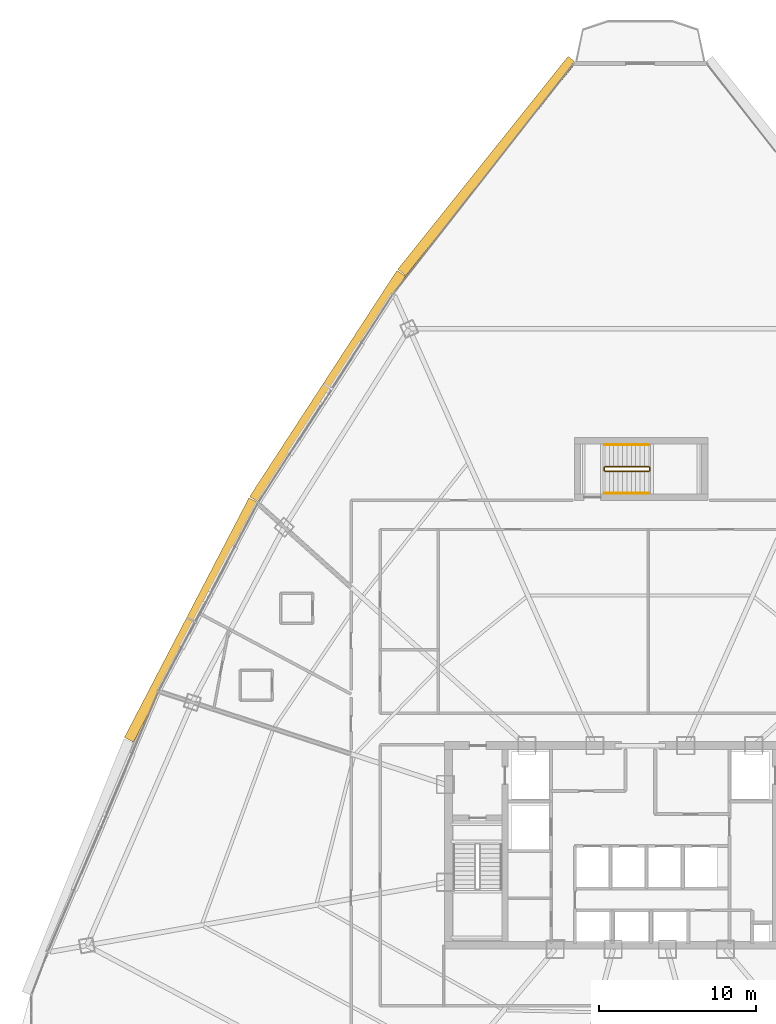
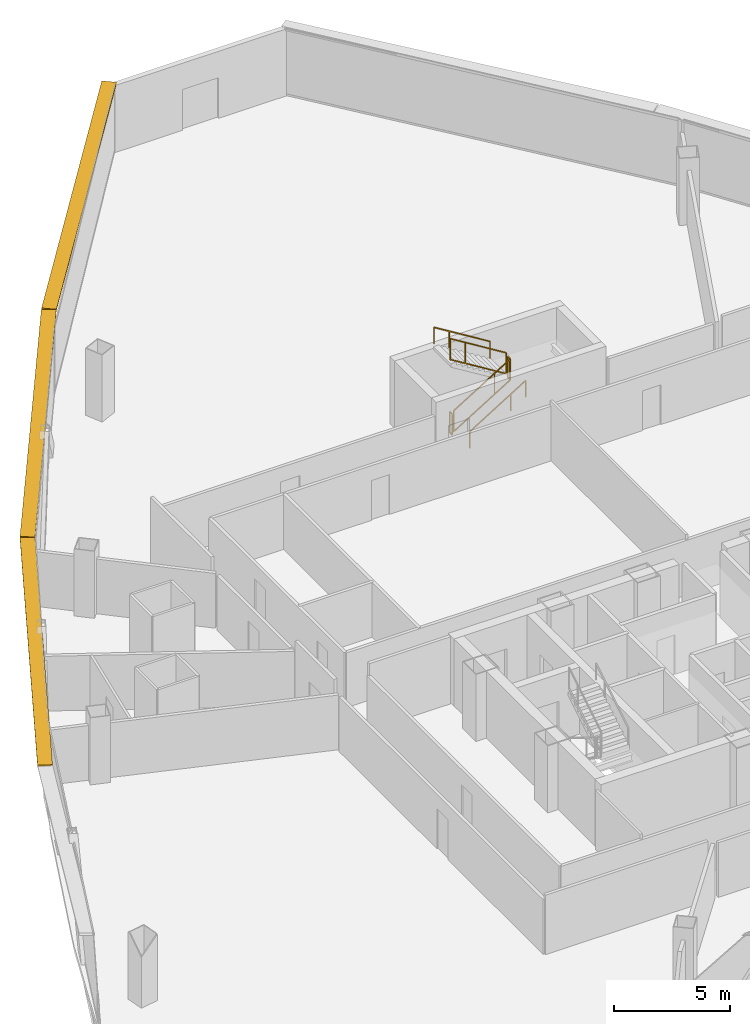
# One storey, part 39 of 40: 6 railings, 3 shading devices.
"""IFC4 building model written with IfcOpenShell, lengths in metres."""

import ifcopenshell
import ifcopenshell.guid

model = None  # the IFC model being written
_history = None  # IfcOwnerHistory: only IFC2X3 demands one
_inside = {}  # id of a spatial element -> (the spatial element, [elements in it])
_under = {}  # id of a project, library or spatial element -> (it, [spatial elements below it])
_declared = {}  # id of a project -> (the project, [libraries it declares])
_typed = {}  # id of a type object -> (the type object, [elements of that type])
_made_of = {}  # id of a material, layer set ... -> (it, [elements and type objects made of it])


def new_model(schema):
    """Start an empty IFC model of exactly this schema.

    Asked for "IFC4X3", IfcOpenShell would pick the latest addendum, in which some entities
    have other attributes; the version numbers below select the first issue.
    IFC2X3 requires an IfcOwnerHistory on every rooted entity: one is made here for all.
    """
    global model, _history
    if schema == "IFC4X3":
        model = ifcopenshell.file(schema_version=(4, 3, 0, 0))
    else:
        model = ifcopenshell.file(schema=schema)
    _inside.clear()
    _under.clear()
    _declared.clear()
    _typed.clear()
    _made_of.clear()
    _history = None
    if model.schema == "IFC2X3":
        org = make("IfcOrganization", Name="unknown")
        user = make(
            "IfcPersonAndOrganization",
            ThePerson=make("IfcPerson", FamilyName="unknown"),
            TheOrganization=org,
        )
        app = make(
            "IfcApplication",
            ApplicationDeveloper=org,
            Version="unknown",
            ApplicationFullName="unknown",
            ApplicationIdentifier="unknown",
        )
        _history = make(
            "IfcOwnerHistory",
            OwningUser=user,
            OwningApplication=app,
            ChangeAction="ADDED",
            CreationDate=0,
        )
    return model


def make(cls, **values):
    """One entity of the class cls with the attributes given. An attribute that is None is left unset."""
    return model.create_entity(
        cls, **{name: value for name, value in values.items() if value is not None}
    )


def rooted(cls, **values):
    """An entity with a GlobalId (a new one), such as an element, a storey or a relation."""
    return make(cls, GlobalId=ifcopenshell.guid.new(), OwnerHistory=_history, **values)


def si_unit(unit_type, name, prefix=None):
    """IfcSIUnit, for example si_unit("LENGTHUNIT", "METRE", prefix="MILLI")."""
    return make("IfcSIUnit", UnitType=unit_type, Prefix=prefix, Name=name)


def assignment(units):
    """IfcUnitAssignment: the units of a project."""
    return None if units is None else make("IfcUnitAssignment", Units=units)


def point(xyz):
    """IfcCartesianPoint."""
    return None if xyz is None else make("IfcCartesianPoint", Coordinates=xyz)


def direction(xyz):
    """IfcDirection."""
    return None if xyz is None else make("IfcDirection", DirectionRatios=xyz)


def frame(location, z_axis=None, x_axis=None):
    """IfcAxis2Placement3D, a coordinate frame: its origin and axes. An axis left out is left unset."""
    return make(
        "IfcAxis2Placement3D",
        Location=point(location),
        Axis=direction(z_axis),
        RefDirection=direction(x_axis),
    )


def frame_2d(location, x_axis=None):
    """IfcAxis2Placement2D, a coordinate frame in the plane: its origin and x axis."""
    return make(
        "IfcAxis2Placement2D", Location=point(location), RefDirection=direction(x_axis)
    )


def origin():
    """The frame at (0, 0, 0) with its axes left unset."""
    return frame((0.0, 0.0, 0.0))


def origin_2d():
    """The frame at (0, 0) in the plane with its x axis left unset."""
    return frame_2d((0.0, 0.0))


def place(relative_to, where):
    """IfcLocalPlacement: puts the frame where relative to a parent placement (None: the world)."""
    return make(
        "IfcLocalPlacement", PlacementRelTo=relative_to, RelativePlacement=where
    )


def context(
    kind, dimensions, precision=None, world=None, true_north=None, identifier=None
):
    """IfcGeometricRepresentationContext, for example the 3D "Model" context."""
    return make(
        "IfcGeometricRepresentationContext",
        ContextIdentifier=identifier,
        ContextType=kind,
        CoordinateSpaceDimension=dimensions,
        Precision=precision,
        WorldCoordinateSystem=world,
        TrueNorth=true_north,
    )


def subcontext(parent, identifier, kind, view, scale=None):
    """IfcGeometricRepresentationSubContext, for example "Body" below "Model"."""
    return make(
        "IfcGeometricRepresentationSubContext",
        ContextIdentifier=identifier,
        ContextType=kind,
        ParentContext=parent,
        TargetScale=scale,
        TargetView=view,
    )


def project(units=None, contexts=None):
    """IfcProject with its units and contexts."""
    return rooted(
        "IfcProject",
        Name="project",
        RepresentationContexts=contexts,
        UnitsInContext=assignment(units),
    )


def spatial(cls, under=None, at=None, **own):
    """A site, building, storey or space (cls), placed at a placement, below another one or the project."""
    s = rooted(cls, ObjectPlacement=at, **own)
    if under is not None:
        _under.setdefault(under.id(), (under, []))[1].append(s)
    return s


def profile(cls, at=None, kind="AREA", **sizes):
    """A parametric profile (cls). Its sizes go by their IFC names, for example OverallWidth=200.0."""
    return make(cls, ProfileType=kind, Position=at, **sizes)


def rectangle(**sizes):
    """IfcRectangleProfileDef."""
    return profile("IfcRectangleProfileDef", **sizes)


def extrude(swept, where, along, depth):
    """IfcExtrudedAreaSolid: the profile swept, set in the frame where, extruded along a direction by depth."""
    return make(
        "IfcExtrudedAreaSolid",
        SweptArea=swept,
        Position=where,
        ExtrudedDirection=direction(along),
        Depth=depth,
    )


def shape(context_of_items, identifier, shape_type, items):
    """IfcShapeRepresentation: the items that make up one representation, for example the "Body"."""
    return make(
        "IfcShapeRepresentation",
        ContextOfItems=context_of_items,
        RepresentationIdentifier=identifier,
        RepresentationType=shape_type,
        Items=items,
    )


def source(mapping_origin, context_of_items, identifier, shape_type, items):
    """IfcRepresentationMap: a shape defined once, which mapped items show again and again."""
    return make(
        "IfcRepresentationMap",
        MappingOrigin=mapping_origin,
        MappedRepresentation=shape(context_of_items, identifier, shape_type, items),
    )


def transform(
    local_origin,
    x_axis=None,
    y_axis=None,
    z_axis=None,
    scale=None,
    scale2=None,
    scale3=None,
    uniform=True,
):
    """IfcCartesianTransformationOperator3D, or its non-uniform kind. x_axis, y_axis, z_axis: its Axis1, 2, 3."""
    if uniform:
        return make(
            "IfcCartesianTransformationOperator3D",
            Axis1=direction(x_axis),
            Axis2=direction(y_axis),
            LocalOrigin=point(local_origin),
            Scale=scale,
            Axis3=direction(z_axis),
        )
    return make(
        "IfcCartesianTransformationOperator3DnonUniform",
        Axis1=direction(x_axis),
        Axis2=direction(y_axis),
        LocalOrigin=point(local_origin),
        Scale=scale,
        Axis3=direction(z_axis),
        Scale2=scale2,
        Scale3=scale3,
    )


def mapped(mapping_source, mapping_target):
    """IfcMappedItem: shows the shape of a source again, moved by a transform."""
    return make(
        "IfcMappedItem", MappingSource=mapping_source, MappingTarget=mapping_target
    )


def material(Name=None, Category=None):
    """IfcMaterial."""
    return make("IfcMaterial", Name=Name, Category=Category)


def layer(
    of_material, thickness, ventilated=None, Name=None, Category=None, Priority=None
):
    """IfcMaterialLayer: one layer of a wall or slab, of a material (None: an air gap)."""
    return make(
        "IfcMaterialLayer",
        Material=of_material,
        LayerThickness=thickness,
        IsVentilated=ventilated,
        Name=Name,
        Category=Category,
        Priority=Priority,
    )


def layer_set(layers, Name=None):
    """IfcMaterialLayerSet."""
    return make("IfcMaterialLayerSet", MaterialLayers=layers, LayerSetName=Name)


def made_of(thing, what):
    """Note that an element or type object is made of a material, layer set ...; save() writes the relation."""
    if what is not None:
        _made_of.setdefault(what.id(), (what, []))[1].append(thing)
    return thing


def type_object(cls, material=None, **own):
    """A type object (cls), such as IfcWallType, which elements share."""
    return made_of(rooted(cls, **own), material)


def element(
    cls,
    number,
    at=None,
    inside=None,
    cuts=None,
    type_object=None,
    material=None,
    context=None,
    identifier="Body",
    shape_type=None,
    held_by="IfcProductDefinitionShape",
    body=None,
    shapes=None,
    **own,
):
    """One element of the class cls, such as IfcWall. Its Tag is "e" and its number.

    at: its placement. inside: the storey or other place that contains it. cuts: it is an
    opening in that element (IfcRelVoidsElement). A single representation is given by context,
    identifier, shape_type and body (its items); several are given by shapes. held_by: the class
    of the entity that holds the representations. save() writes the other relations.
    """
    e = rooted(cls, Tag="e%d" % number, ObjectPlacement=at, **own)
    if body is not None:
        shapes = [shape(context, identifier, shape_type, body)]
    if shapes is not None:
        e.Representation = make(held_by, Representations=shapes)
    if inside is not None:
        _inside.setdefault(inside.id(), (inside, []))[1].append(e)
    if cuts is not None:
        rooted(
            "IfcRelVoidsElement", RelatingBuildingElement=cuts, RelatedOpeningElement=e
        )
    if type_object is not None:
        _typed.setdefault(type_object.id(), (type_object, []))[1].append(e)
    return made_of(e, material)


def aggregate(whole, parts):
    """IfcRelAggregates: a whole, such as a stair, and the parts it consists of."""
    return rooted("IfcRelAggregates", RelatingObject=whole, RelatedObjects=parts)


def save(model, path):
    """Write the relations noted so far, then the file.

    IfcRelAggregates (storeys below a building ...), IfcRelContainedInSpatialStructure (elements
    in a storey), IfcRelDefinesByType, IfcRelAssociatesMaterial and IfcRelDeclares: one each for
    every whole, place, type object, material and project.
    """
    for whole, parts in _under.values():
        aggregate(whole, parts)
    for where, things in _inside.values():
        rooted(
            "IfcRelContainedInSpatialStructure",
            RelatedElements=things,
            RelatingStructure=where,
        )
    for kind, things in _typed.values():
        rooted("IfcRelDefinesByType", RelatedObjects=things, RelatingType=kind)
    for what, things in _made_of.values():
        rooted("IfcRelAssociatesMaterial", RelatedObjects=things, RelatingMaterial=what)
    for by, libraries in _declared.values():
        rooted("IfcRelDeclares", RelatingContext=by, RelatedDefinitions=libraries)
    model.write(path)


model = new_model("IFC4")

# Units and contexts
model_context = context("Model", 3, precision=1e-05, world=origin(), true_north=direction((0.0, 1.0)))
body_context = subcontext(model_context, "Body", "Model", "MODEL_VIEW")
ifc_project = project(units=[si_unit("LENGTHUNIT", "METRE"), si_unit("AREAUNIT", "SQUARE_METRE"), si_unit("VOLUMEUNIT", "CUBIC_METRE"), si_unit("PLANEANGLEUNIT", "RADIAN"), si_unit("MASSUNIT", "GRAM", prefix="KILO"), si_unit("THERMODYNAMICTEMPERATUREUNIT", "KELVIN"), si_unit("POWERUNIT", "WATT")], contexts=[model_context])

# Site, building, storey
site_placement = place(None, origin())
site = spatial("IfcSite", under=ifc_project, at=site_placement, CompositionType="ELEMENT")
building_placement = place(site_placement, origin())
building = spatial("IfcBuilding", under=site, at=building_placement, Name="Yunzhuo Pagoda Commons", CompositionType="ELEMENT")
storey_placement = place(building_placement, frame((0.0, 0.0, 180.9599609375)))
storey = spatial("IfcBuildingStorey", under=building, at=storey_placement, Name="L45", CompositionType="ELEMENT", Elevation=180.9599609375)

# Railings
ifc_material = material(Name="Anodized aluminium 6063-T6", Category="aluminium")
railing_type_1 = type_object("IfcRailingType", Name="GR-ST3 North Well Guardrail 1155", PredefinedType="GUARDRAIL", material=ifc_material)
railing_1_placement = place(storey_placement, frame((45.75, 57.64990234375, 0.1728515625)))
element("IfcRailing", 1, at=railing_1_placement, inside=storey, type_object=railing_type_1, Name="L45 ST3 stair guard 1", PredefinedType="GUARDRAIL", context=body_context, shape_type="SweptSolid", body=[
    extrude(rectangle(XDim=0.048095703125, YDim=0.048095703125, at=origin_2d()), frame((0.0, 0.0, 1.1259765625), z_axis=(0.851089632645, 0.0, 0.525020415988), x_axis=(0.0, 1.0, 0.0)), (0.0, 0.0, 1.0), 3.2900390625),
    extrude(rectangle(XDim=0.048095703125, YDim=0.048095703125, at=origin_2d()), frame((0.0, 0.0, 0.02392578125), z_axis=(0.851089632645, 0.0, 0.525020415988), x_axis=(0.0, 1.0, 0.0)), (0.0, 0.0, 1.0), 3.2900390625),
    extrude(rectangle(XDim=0.0419921875, YDim=0.0419921875, at=origin_2d()), origin(), (0.0, 0.0, 1.0), 1.101806640625),
    extrude(rectangle(XDim=0.0419921875, YDim=0.0419921875, at=origin_2d()), frame((2.042724609375, 0.0, 1.260009765625)), (0.0, 0.0, 1.0), 1.101806640625),
    extrude(rectangle(XDim=0.0419921875, YDim=0.0419921875, at=origin_2d()), frame((2.800048828125, 0.0, 1.727294921875)), (0.0, 0.0, 1.0), 1.101806640625),
])
railing_2_placement = place(storey_placement, frame((48.60009765625, 57.699951171875, 1.900146484375)))
element("IfcRailing", 2, at=railing_2_placement, inside=storey, type_object=railing_type_1, Name="L45 ST3 stair guard 2", PredefinedType="GUARDRAIL", context=body_context, shape_type="SweptSolid", body=[
    extrude(rectangle(XDim=0.048095703125, YDim=0.048095703125, at=origin_2d()), frame((0.0, 0.0, 1.1259765625), z_axis=(0.0, 1.0, 0.0), x_axis=(-1.0, 0.0, 0.0)), (0.0, 0.0, 1.0), 0.199951171875),
    extrude(rectangle(XDim=0.048095703125, YDim=0.048095703125, at=origin_2d()), frame((0.0, 0.0, 0.02392578125), z_axis=(0.0, 1.0, 0.0), x_axis=(-1.0, 0.0, 0.0)), (0.0, 0.0, 1.0), 0.199951171875),
    extrude(rectangle(XDim=0.0419921875, YDim=0.0419921875, at=origin_2d()), origin(), (0.0, 0.0, 1.0), 1.101806640625),
    extrude(rectangle(XDim=0.0419921875, YDim=0.0419921875, at=origin_2d()), frame((0.0, 0.199951171875, 0.0)), (0.0, 0.0, 1.0), 1.101806640625),
])
railing_3_placement = place(storey_placement, frame((48.550048828125, 57.949951171875, 2.07275390625)))
element("IfcRailing", 3, at=railing_3_placement, inside=storey, type_object=railing_type_1, Name="L45 ST3 stair guard 3", PredefinedType="GUARDRAIL", context=body_context, shape_type="SweptSolid", body=[
    extrude(rectangle(XDim=0.048095703125, YDim=0.048095703125, at=origin_2d()), frame((0.0, 0.0, 1.1259765625), z_axis=(-0.851089632645, 0.0, 0.525020415988), x_axis=(0.0, -1.0, 0.0)), (0.0, 0.0, 1.0), 3.2900390625),
    extrude(rectangle(XDim=0.048095703125, YDim=0.048095703125, at=origin_2d()), frame((0.0, 0.0, 0.02392578125), z_axis=(-0.851089632645, 0.0, 0.525020415988), x_axis=(0.0, -1.0, 0.0)), (0.0, 0.0, 1.0), 3.2900390625),
    extrude(rectangle(XDim=0.0419921875, YDim=0.0419921875, at=origin_2d()), origin(), (0.0, 0.0, 1.0), 1.101806640625),
    extrude(rectangle(XDim=0.0419921875, YDim=0.0419921875, at=origin_2d()), frame((-2.042724609375, 0.0, 1.260009765625)), (0.0, 0.0, 1.0), 1.101806640625),
    extrude(rectangle(XDim=0.0419921875, YDim=0.0419921875, at=origin_2d()), frame((-2.800048828125, 0.0, 1.727294921875)), (0.0, 0.0, 1.0), 1.101806640625),
])
railing_4_placement = place(storey_placement, frame((45.699951171875, 57.699951171875, 0.0)))
element("IfcRailing", 4, at=railing_4_placement, inside=storey, type_object=railing_type_1, Name="L45 ST3 stair guard 4", PredefinedType="GUARDRAIL", context=body_context, shape_type="SweptSolid", body=[
    extrude(rectangle(XDim=0.048095703125, YDim=0.048095703125, at=origin_2d()), frame((0.0, 0.0, 1.1259765625), z_axis=(0.0, 1.0, 0.0), x_axis=(-1.0, 0.0, 0.0)), (0.0, 0.0, 1.0), 0.199951171875),
    extrude(rectangle(XDim=0.048095703125, YDim=0.048095703125, at=origin_2d()), frame((0.0, 0.0, 0.02392578125), z_axis=(0.0, 1.0, 0.0), x_axis=(-1.0, 0.0, 0.0)), (0.0, 0.0, 1.0), 0.199951171875),
    extrude(rectangle(XDim=0.0419921875, YDim=0.0419921875, at=origin_2d()), origin(), (0.0, 0.0, 1.0), 1.101806640625),
    extrude(rectangle(XDim=0.0419921875, YDim=0.0419921875, at=origin_2d()), frame((0.0, 0.199951171875, 0.0)), (0.0, 0.0, 1.0), 1.101806640625),
])
railing_type_2 = type_object("IfcRailingType", Name="HR-ST3 North Stair Handrail 900", PredefinedType="HANDRAIL", material=ifc_material)
railing_5_placement = place(storey_placement, frame((45.75, 56.25, 0.1728515625)))
element("IfcRailing", 5, at=railing_5_placement, inside=storey, type_object=railing_type_2, Name="L45 ST3 stair handrail 1", PredefinedType="HANDRAIL", context=body_context, shape_type="SweptSolid", body=[
    extrude(rectangle(XDim=0.048095703125, YDim=0.048095703125, at=origin_2d()), frame((0.0, 0.0, 0.8759765625), z_axis=(0.851089632645, 0.0, 0.525020415988), x_axis=(0.0, 1.0, 0.0)), (0.0, 0.0, 1.0), 3.2900390625),
    extrude(rectangle(XDim=0.0419921875, YDim=0.0419921875, at=origin_2d()), origin(), (0.0, 0.0, 1.0), 0.851806640625),
    extrude(rectangle(XDim=0.0419921875, YDim=0.0419921875, at=origin_2d()), frame((2.042724609375, 0.0, 1.260009765625)), (0.0, 0.0, 1.0), 0.851806640625),
    extrude(rectangle(XDim=0.0419921875, YDim=0.0419921875, at=origin_2d()), frame((2.800048828125, 0.0, 1.727294921875)), (0.0, 0.0, 1.0), 0.851806640625),
])
railing_6_placement = place(storey_placement, frame((48.550048828125, 59.35009765625, 2.07275390625)))
element("IfcRailing", 6, at=railing_6_placement, inside=storey, type_object=railing_type_2, Name="L45 ST3 stair handrail 2", PredefinedType="HANDRAIL", context=body_context, shape_type="SweptSolid", body=[
    extrude(rectangle(XDim=0.048095703125, YDim=0.048095703125, at=origin_2d()), frame((0.0, 0.0, 0.8759765625), z_axis=(-0.851089632645, 0.0, 0.525020415988), x_axis=(0.0, -1.0, 0.0)), (0.0, 0.0, 1.0), 3.2900390625),
    extrude(rectangle(XDim=0.0419921875, YDim=0.0419921875, at=origin_2d()), origin(), (0.0, 0.0, 1.0), 0.851806640625),
    extrude(rectangle(XDim=0.0419921875, YDim=0.0419921875, at=origin_2d()), frame((-2.042724609375, 0.0, 1.260009765625)), (0.0, 0.0, 1.0), 0.851806640625),
    extrude(rectangle(XDim=0.0419921875, YDim=0.0419921875, at=origin_2d()), frame((-2.800048828125, 0.0, 1.727294921875)), (0.0, 0.0, 1.0), 0.851806640625),
])

# Shading devices
ifc_layer = layer(ifc_material, 0.080078125)
ifc_layer_set = layer_set([ifc_layer], Name="Anodized aluminium 6063-T6")
shading_device_type = type_object("IfcShadingDeviceType", Name="SH-SUN1 Pagoda Horizontal Sunshade Eave 650", PredefinedType="USERDEFINED", material=ifc_layer_set)
shared_shape_1 = source(origin(), body_context, "Body", "SweptSolid", [
    extrude(rectangle(XDim=17.1708984375, YDim=0.64990234375, at=origin_2d()), origin(), (0.0, 0.0, 1.0), 0.080078125),
])
for number, where, z_axis, x_axis, name in (
    (7, (28.110107421875, 63.06298828125, 3.4599609375), (0.0, 0.0, 1.0), (-0.545838756973, -0.837890238269, 0.0), "L45 horizontal pagoda sunshade eave F3.2"),
    (8, (19.43212890625, 48.19677734375, 3.4599609375), (0.0, 0.0, 1.0), (-0.461206683033, -0.88729273384, 0.0), "L45 horizontal pagoda sunshade eave F3.3"),
):
    element("IfcShadingDevice", number, at=place(storey_placement, frame(where, z_axis=z_axis, x_axis=x_axis)), inside=storey, type_object=shading_device_type, Name=name, ObjectType="SUNSHADE", PredefinedType="USERDEFINED", context=body_context, shape_type="MappedRepresentation", body=[
        mapped(shared_shape_1, transform((0.0, 0.0, 0.0), scale=1.0)),
    ])
shared_shape_2 = source(origin(), body_context, "Body", "SweptSolid", [
    extrude(rectangle(XDim=17.33544921875, YDim=0.64990234375, at=origin_2d()), origin(), (0.0, 0.0, 1.0), 0.080078125),
])
shading_device_placement = place(storey_placement, frame((38.24658203125, 77.077392578125, 3.4599609375), z_axis=(0.0, 0.0, 1.0), x_axis=(-0.624520471688, -0.781008438138, 0.0)))
element("IfcShadingDevice", 9, at=shading_device_placement, inside=storey, type_object=shading_device_type, Name="L45 horizontal pagoda sunshade eave F3.1", ObjectType="SUNSHADE", PredefinedType="USERDEFINED", context=body_context, shape_type="MappedRepresentation", body=[
    mapped(shared_shape_2, transform((0.0, 0.0, 0.0), scale=1.0)),
])

save(model, "model.ifc")
